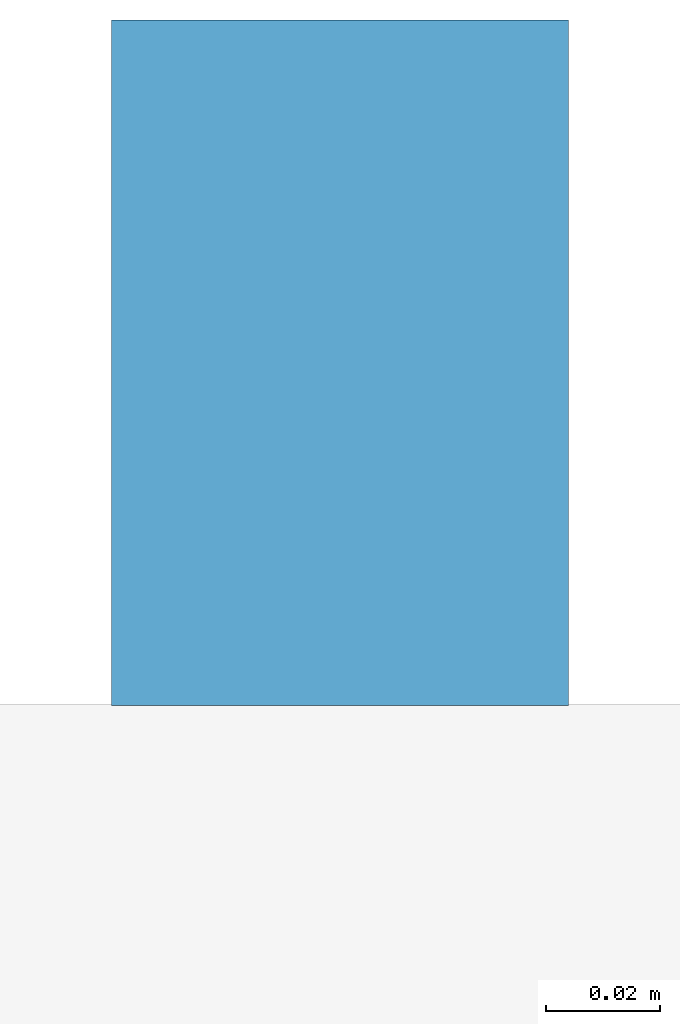
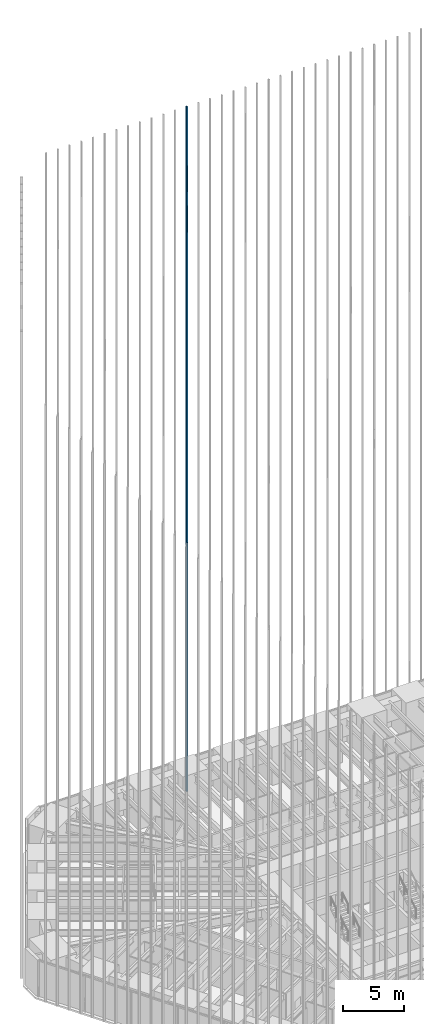
# One storey, part 182 of 256: 1 member, 1 element without a shape of its own.
"""IFC4 building model written with IfcOpenShell, lengths in metres."""

from ifc_helpers import new_model, si_unit, direction, frame, origin, origin_2d, place, context, subcontext, project, spatial, rectangle, extrude, material, material_profile, profile_set, type_object, element, aggregate, save


model = new_model("IFC4")

# Units and contexts
model_context = context("Model", 3, precision=1e-05, world=origin(), true_north=direction((0.0, 1.0)))
body_context = subcontext(model_context, "Body", "Model", "MODEL_VIEW")
ifc_project = project(units=[si_unit("LENGTHUNIT", "METRE"), si_unit("AREAUNIT", "SQUARE_METRE"), si_unit("VOLUMEUNIT", "CUBIC_METRE"), si_unit("PLANEANGLEUNIT", "RADIAN"), si_unit("MASSUNIT", "GRAM", prefix="KILO")], contexts=[model_context])

# Site, building, storey
site_placement = place(None, origin())
site = spatial("IfcSite", under=ifc_project, at=site_placement, CompositionType="ELEMENT")
building_placement = place(site_placement, origin())
building = spatial("IfcBuilding", under=site, at=building_placement, Name="Sandreach Pilgrim Tower", CompositionType="ELEMENT")
storey_placement = place(building_placement, frame((0.0, 0.0, 23.0)))
storey = spatial("IfcBuildingStorey", under=building, at=storey_placement, Name="L04", CompositionType="ELEMENT", Elevation=23.0)

# Curtain wall, member
ifc_material_1 = material(Name="Aluminium framed curtain wall", Category="aluminium")
curtain_wall_type = type_object("IfcCurtainWallType", Name="Hostel tower curtain wall", PredefinedType="NOTDEFINED", material=ifc_material_1)
curtain_wall_placement = place(storey_placement, origin())
curtain_wall = element("IfcCurtainWall", 1, at=curtain_wall_placement, inside=storey, type_object=curtain_wall_type, Name="CW-1 L04 N", PredefinedType="NOTDEFINED")
ifc_material_2 = material(Name="Extruded terracotta on aluminium core", Category="masonry")
ifc_material_profile = material_profile(ifc_material_2, rectangle(XDim=0.080078125, YDim=0.1201171875, at=origin_2d()), Name="TBN 80X120")
ifc_profile_set = profile_set([ifc_material_profile], Name="Extruded terracotta on aluminium core")
member_type = type_object("IfcMemberType", Name="Terracotta baguette north", PredefinedType="USERDEFINED", material=ifc_profile_set)
member_placement = place(storey_placement, frame((-5.522216796875, 24.30859375, 0.0), z_axis=(0.0, 0.0, 1.0), x_axis=(1.0, 0.0, 0.0)))
member = element("IfcMember", 2, at=member_placement, type_object=member_type, Name="Baguette Z1 N13", ObjectType="BAGUETTE", PredefinedType="USERDEFINED", context=body_context, shape_type="SweptSolid", body=[
    extrude(rectangle(XDim=0.080078125, YDim=0.1201171875, at=origin_2d()), origin(), (0.0, 0.0, 1.0), 68.239990234375),
])
aggregate(curtain_wall, [member])

save(model, "model.ifc")
